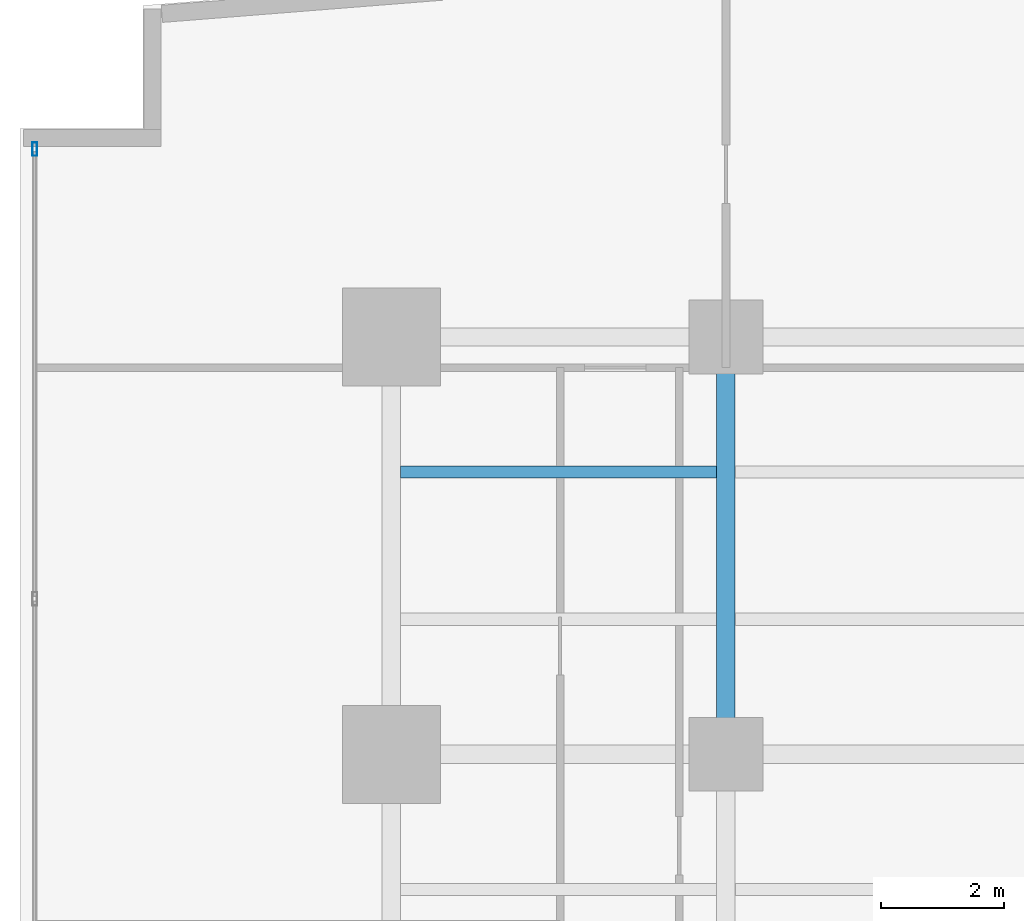
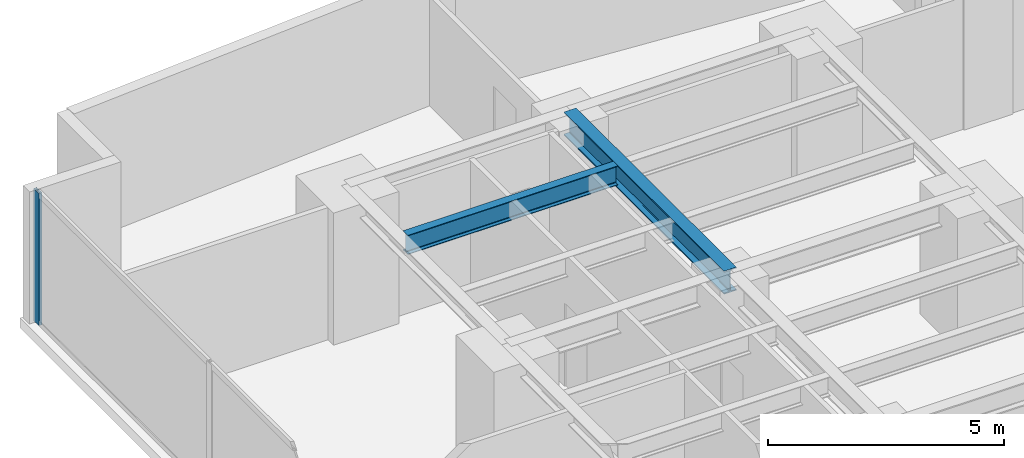
# One storey, part 17 of 28: 2 beams, 1 member, 1 element without a shape of its own.
"""IFC4 building model written with IfcOpenShell, lengths in metres."""

import ifcopenshell
import ifcopenshell.guid

model = None  # the IFC model being written
_history = None  # IfcOwnerHistory: only IFC2X3 demands one
_inside = {}  # id of a spatial element -> (the spatial element, [elements in it])
_under = {}  # id of a project, library or spatial element -> (it, [spatial elements below it])
_declared = {}  # id of a project -> (the project, [libraries it declares])
_typed = {}  # id of a type object -> (the type object, [elements of that type])
_made_of = {}  # id of a material, layer set ... -> (it, [elements and type objects made of it])


def new_model(schema):
    """Start an empty IFC model of exactly this schema.

    Asked for "IFC4X3", IfcOpenShell would pick the latest addendum, in which some entities
    have other attributes; the version numbers below select the first issue.
    IFC2X3 requires an IfcOwnerHistory on every rooted entity: one is made here for all.
    """
    global model, _history
    if schema == "IFC4X3":
        model = ifcopenshell.file(schema_version=(4, 3, 0, 0))
    else:
        model = ifcopenshell.file(schema=schema)
    _inside.clear()
    _under.clear()
    _declared.clear()
    _typed.clear()
    _made_of.clear()
    _history = None
    if model.schema == "IFC2X3":
        org = make("IfcOrganization", Name="unknown")
        user = make(
            "IfcPersonAndOrganization",
            ThePerson=make("IfcPerson", FamilyName="unknown"),
            TheOrganization=org,
        )
        app = make(
            "IfcApplication",
            ApplicationDeveloper=org,
            Version="unknown",
            ApplicationFullName="unknown",
            ApplicationIdentifier="unknown",
        )
        _history = make(
            "IfcOwnerHistory",
            OwningUser=user,
            OwningApplication=app,
            ChangeAction="ADDED",
            CreationDate=0,
        )
    return model


def make(cls, **values):
    """One entity of the class cls with the attributes given. An attribute that is None is left unset."""
    return model.create_entity(
        cls, **{name: value for name, value in values.items() if value is not None}
    )


def rooted(cls, **values):
    """An entity with a GlobalId (a new one), such as an element, a storey or a relation."""
    return make(cls, GlobalId=ifcopenshell.guid.new(), OwnerHistory=_history, **values)


def si_unit(unit_type, name, prefix=None):
    """IfcSIUnit, for example si_unit("LENGTHUNIT", "METRE", prefix="MILLI")."""
    return make("IfcSIUnit", UnitType=unit_type, Prefix=prefix, Name=name)


def assignment(units):
    """IfcUnitAssignment: the units of a project."""
    return None if units is None else make("IfcUnitAssignment", Units=units)


def point(xyz):
    """IfcCartesianPoint."""
    return None if xyz is None else make("IfcCartesianPoint", Coordinates=xyz)


def direction(xyz):
    """IfcDirection."""
    return None if xyz is None else make("IfcDirection", DirectionRatios=xyz)


def frame(location, z_axis=None, x_axis=None):
    """IfcAxis2Placement3D, a coordinate frame: its origin and axes. An axis left out is left unset."""
    return make(
        "IfcAxis2Placement3D",
        Location=point(location),
        Axis=direction(z_axis),
        RefDirection=direction(x_axis),
    )


def frame_2d(location, x_axis=None):
    """IfcAxis2Placement2D, a coordinate frame in the plane: its origin and x axis."""
    return make(
        "IfcAxis2Placement2D", Location=point(location), RefDirection=direction(x_axis)
    )


def origin():
    """The frame at (0, 0, 0) with its axes left unset."""
    return frame((0.0, 0.0, 0.0))


def origin_with_axes():
    """The frame at (0, 0, 0) with the z axis (0, 0, 1) and the x axis (1, 0, 0) written out."""
    return frame((0.0, 0.0, 0.0), z_axis=(0.0, 0.0, 1.0), x_axis=(1.0, 0.0, 0.0))


def origin_2d():
    """The frame at (0, 0) in the plane with its x axis left unset."""
    return frame_2d((0.0, 0.0))


def place(relative_to, where):
    """IfcLocalPlacement: puts the frame where relative to a parent placement (None: the world)."""
    return make(
        "IfcLocalPlacement", PlacementRelTo=relative_to, RelativePlacement=where
    )


def context(
    kind, dimensions, precision=None, world=None, true_north=None, identifier=None
):
    """IfcGeometricRepresentationContext, for example the 3D "Model" context."""
    return make(
        "IfcGeometricRepresentationContext",
        ContextIdentifier=identifier,
        ContextType=kind,
        CoordinateSpaceDimension=dimensions,
        Precision=precision,
        WorldCoordinateSystem=world,
        TrueNorth=true_north,
    )


def subcontext(parent, identifier, kind, view, scale=None):
    """IfcGeometricRepresentationSubContext, for example "Body" below "Model"."""
    return make(
        "IfcGeometricRepresentationSubContext",
        ContextIdentifier=identifier,
        ContextType=kind,
        ParentContext=parent,
        TargetScale=scale,
        TargetView=view,
    )


def project(units=None, contexts=None):
    """IfcProject with its units and contexts."""
    return rooted(
        "IfcProject",
        Name="project",
        RepresentationContexts=contexts,
        UnitsInContext=assignment(units),
    )


def spatial(cls, under=None, at=None, **own):
    """A site, building, storey or space (cls), placed at a placement, below another one or the project."""
    s = rooted(cls, ObjectPlacement=at, **own)
    if under is not None:
        _under.setdefault(under.id(), (under, []))[1].append(s)
    return s


def profile(cls, at=None, kind="AREA", **sizes):
    """A parametric profile (cls). Its sizes go by their IFC names, for example OverallWidth=200.0."""
    return make(cls, ProfileType=kind, Position=at, **sizes)


def hollow_rectangle(**sizes):
    """IfcRectangleHollowProfileDef."""
    return profile("IfcRectangleHollowProfileDef", **sizes)


def i_section(**sizes):
    """IfcIShapeProfileDef."""
    return profile("IfcIShapeProfileDef", **sizes)


def extrude(swept, where, along, depth):
    """IfcExtrudedAreaSolid: the profile swept, set in the frame where, extruded along a direction by depth."""
    return make(
        "IfcExtrudedAreaSolid",
        SweptArea=swept,
        Position=where,
        ExtrudedDirection=direction(along),
        Depth=depth,
    )


def shape(context_of_items, identifier, shape_type, items):
    """IfcShapeRepresentation: the items that make up one representation, for example the "Body"."""
    return make(
        "IfcShapeRepresentation",
        ContextOfItems=context_of_items,
        RepresentationIdentifier=identifier,
        RepresentationType=shape_type,
        Items=items,
    )


def source(mapping_origin, context_of_items, identifier, shape_type, items):
    """IfcRepresentationMap: a shape defined once, which mapped items show again and again."""
    return make(
        "IfcRepresentationMap",
        MappingOrigin=mapping_origin,
        MappedRepresentation=shape(context_of_items, identifier, shape_type, items),
    )


def transform(
    local_origin,
    x_axis=None,
    y_axis=None,
    z_axis=None,
    scale=None,
    scale2=None,
    scale3=None,
    uniform=True,
):
    """IfcCartesianTransformationOperator3D, or its non-uniform kind. x_axis, y_axis, z_axis: its Axis1, 2, 3."""
    if uniform:
        return make(
            "IfcCartesianTransformationOperator3D",
            Axis1=direction(x_axis),
            Axis2=direction(y_axis),
            LocalOrigin=point(local_origin),
            Scale=scale,
            Axis3=direction(z_axis),
        )
    return make(
        "IfcCartesianTransformationOperator3DnonUniform",
        Axis1=direction(x_axis),
        Axis2=direction(y_axis),
        LocalOrigin=point(local_origin),
        Scale=scale,
        Axis3=direction(z_axis),
        Scale2=scale2,
        Scale3=scale3,
    )


def mapped(mapping_source, mapping_target):
    """IfcMappedItem: shows the shape of a source again, moved by a transform."""
    return make(
        "IfcMappedItem", MappingSource=mapping_source, MappingTarget=mapping_target
    )


def material(Name=None, Category=None):
    """IfcMaterial."""
    return make("IfcMaterial", Name=Name, Category=Category)


def layer(
    of_material, thickness, ventilated=None, Name=None, Category=None, Priority=None
):
    """IfcMaterialLayer: one layer of a wall or slab, of a material (None: an air gap)."""
    return make(
        "IfcMaterialLayer",
        Material=of_material,
        LayerThickness=thickness,
        IsVentilated=ventilated,
        Name=Name,
        Category=Category,
        Priority=Priority,
    )


def layer_set(layers, Name=None):
    """IfcMaterialLayerSet."""
    return make("IfcMaterialLayerSet", MaterialLayers=layers, LayerSetName=Name)


def material_profile(
    of_material, cross_section, Name=None, Category=None, Priority=None
):
    """IfcMaterialProfile: a cross section and its material."""
    return make(
        "IfcMaterialProfile",
        Name=Name,
        Material=of_material,
        Profile=cross_section,
        Priority=Priority,
        Category=Category,
    )


def profile_set(profiles, Name=None, composite=None):
    """IfcMaterialProfileSet."""
    return make(
        "IfcMaterialProfileSet",
        Name=Name,
        MaterialProfiles=profiles,
        CompositeProfile=composite,
    )


def made_of(thing, what):
    """Note that an element or type object is made of a material, layer set ...; save() writes the relation."""
    if what is not None:
        _made_of.setdefault(what.id(), (what, []))[1].append(thing)
    return thing


def type_object(cls, material=None, **own):
    """A type object (cls), such as IfcWallType, which elements share."""
    return made_of(rooted(cls, **own), material)


def element(
    cls,
    number,
    at=None,
    inside=None,
    cuts=None,
    type_object=None,
    material=None,
    context=None,
    identifier="Body",
    shape_type=None,
    held_by="IfcProductDefinitionShape",
    body=None,
    shapes=None,
    **own,
):
    """One element of the class cls, such as IfcWall. Its Tag is "e" and its number.

    at: its placement. inside: the storey or other place that contains it. cuts: it is an
    opening in that element (IfcRelVoidsElement). A single representation is given by context,
    identifier, shape_type and body (its items); several are given by shapes. held_by: the class
    of the entity that holds the representations. save() writes the other relations.
    """
    e = rooted(cls, Tag="e%d" % number, ObjectPlacement=at, **own)
    if body is not None:
        shapes = [shape(context, identifier, shape_type, body)]
    if shapes is not None:
        e.Representation = make(held_by, Representations=shapes)
    if inside is not None:
        _inside.setdefault(inside.id(), (inside, []))[1].append(e)
    if cuts is not None:
        rooted(
            "IfcRelVoidsElement", RelatingBuildingElement=cuts, RelatedOpeningElement=e
        )
    if type_object is not None:
        _typed.setdefault(type_object.id(), (type_object, []))[1].append(e)
    return made_of(e, material)


def aggregate(whole, parts):
    """IfcRelAggregates: a whole, such as a stair, and the parts it consists of."""
    return rooted("IfcRelAggregates", RelatingObject=whole, RelatedObjects=parts)


def save(model, path):
    """Write the relations noted so far, then the file.

    IfcRelAggregates (storeys below a building ...), IfcRelContainedInSpatialStructure (elements
    in a storey), IfcRelDefinesByType, IfcRelAssociatesMaterial and IfcRelDeclares: one each for
    every whole, place, type object, material and project.
    """
    for whole, parts in _under.values():
        aggregate(whole, parts)
    for where, things in _inside.values():
        rooted(
            "IfcRelContainedInSpatialStructure",
            RelatedElements=things,
            RelatingStructure=where,
        )
    for kind, things in _typed.values():
        rooted("IfcRelDefinesByType", RelatedObjects=things, RelatingType=kind)
    for what, things in _made_of.values():
        rooted("IfcRelAssociatesMaterial", RelatedObjects=things, RelatingMaterial=what)
    for by, libraries in _declared.values():
        rooted("IfcRelDeclares", RelatingContext=by, RelatedDefinitions=libraries)
    model.write(path)


model = new_model("IFC4")

# Units and contexts
model_context = context("Model", 3, precision=1e-05, world=origin(), true_north=direction((0.0, 1.0)))
body_context = subcontext(model_context, "Body", "Model", "MODEL_VIEW")
ifc_project = project(units=[si_unit("LENGTHUNIT", "METRE"), si_unit("AREAUNIT", "SQUARE_METRE"), si_unit("VOLUMEUNIT", "CUBIC_METRE"), si_unit("PLANEANGLEUNIT", "RADIAN"), si_unit("MASSUNIT", "GRAM", prefix="KILO")], contexts=[model_context])

# Site, building, storey
site_placement = place(None, origin())
site = spatial("IfcSite", under=ifc_project, at=site_placement, CompositionType="ELEMENT")
building_placement = place(site_placement, origin())
building = spatial("IfcBuilding", under=site, at=building_placement, Name="Kolvaren Waterfront Exchange", CompositionType="ELEMENT")
storey_placement = place(building_placement, frame((0.0, 0.0, 79.0)))
storey = spatial("IfcBuildingStorey", under=building, at=storey_placement, Name="L20", CompositionType="ELEMENT", Elevation=79.0)

# Beams
ifc_material_1 = material(Name="Steel S355", Category="steel")
ifc_material_profile_1 = material_profile(ifc_material_1, i_section(OverallWidth=0.300048828125, OverallDepth=0.60009765625, WebThickness=0.015380859375, FlangeThickness=0.030029296875, FilletRadius=0.027099609375, at=origin_2d()), Name="HEB600")
ifc_profile_set_1 = profile_set([ifc_material_profile_1], Name="Steel S355")
beam_type_1 = type_object("IfcBeamType", Name="STR-BM-HEB600", PredefinedType="BEAM", material=ifc_profile_set_1)
beam_1_placement = place(storey_placement, frame((12.89990234375, 37.800048828125, 3.1201171875), z_axis=(0.0, 1.0, 0.0), x_axis=(-1.0, 0.0, 0.0)))
element("IfcBeam", 1, at=beam_1_placement, inside=storey, type_object=beam_type_1, Name="L20 north-arm edge beam 3", PredefinedType="BEAM", context=body_context, shape_type="SweptSolid", body=[
    extrude(i_section(OverallWidth=0.300048828125, OverallDepth=0.60009765625, WebThickness=0.015380859375, FlangeThickness=0.030029296875, FilletRadius=0.027099609375, at=origin_2d()), origin(), (0.0, 0.0, 1.0), 6.800048828125),
])
ifc_material_profile_2 = material_profile(ifc_material_1, i_section(OverallWidth=0.199951171875, OverallDepth=0.5, WebThickness=0.01025390625, FlangeThickness=0.01611328125, FilletRadius=0.02099609375, at=origin_2d()), Name="IPE500")
ifc_profile_set_2 = profile_set([ifc_material_profile_2], Name="Steel S355")
beam_type_2 = type_object("IfcBeamType", Name="STR-BM-IPE500", PredefinedType="JOIST", material=ifc_profile_set_2)
beam_2_placement = place(storey_placement, frame((7.60205078125, 42.39990234375, 3.169921875), z_axis=(1.0, 0.0, 0.0), x_axis=(0.0, 1.0, 0.0)))
element("IfcBeam", 2, at=beam_2_placement, inside=storey, type_object=beam_type_2, Name="L20 north-arm composite joist 6A", PredefinedType="JOIST", context=body_context, shape_type="SweptSolid", body=[
    extrude(i_section(OverallWidth=0.199951171875, OverallDepth=0.5, WebThickness=0.01025390625, FlangeThickness=0.01611328125, FilletRadius=0.02099609375, at=origin_2d()), origin(), (0.0, 0.0, 1.0), 5.14599609375),
])

# Curtain wall, member
ifc_material_2 = material(Name="Anodised aluminium 6063-T6", Category="aluminium")
ifc_layer = layer(ifc_material_2, 0.219970703125, Name="Anodised aluminium 6063-T6")
ifc_layer_set = layer_set([ifc_layer], Name="Anodised aluminium 6063-T6")
curtain_wall_type = type_object("IfcCurtainWallType", Name="ARC-CW-SYS2", PredefinedType="USERDEFINED", material=ifc_layer_set)
curtain_wall_placement = place(storey_placement, origin())
curtain_wall = element("IfcCurtainWall", 3, at=curtain_wall_placement, inside=storey, type_object=curtain_wall_type, Name="L20 stick curtain wall CW2 (CW-L20-W)", ObjectType="STICK CURTAIN WALL", PredefinedType="USERDEFINED")
ifc_material_profile_3 = material_profile(ifc_material_2, hollow_rectangle(XDim=0.080078125, YDim=0.219970703125, WallThickness=0.0048828125, at=origin_2d()), Name="ALU-MUL-220x80x5")
ifc_profile_set_3 = profile_set([ifc_material_profile_3], Name="Anodised aluminium 6063-T6")
member_type = type_object("IfcMemberType", Name="ARC-CWM-220", PredefinedType="MULLION", material=ifc_profile_set_3)
shared_shape = source(origin_with_axes(), body_context, "Body", "SweptSolid", [
    extrude(hollow_rectangle(XDim=0.080078125, YDim=0.219970703125, WallThickness=0.0048828125, at=origin_2d()), origin(), (0.0, 0.0, 1.0), 3.419921875),
])
member_placement = place(storey_placement, frame((1.639892578125, 47.659912109375, 0.0), z_axis=(0.0, 0.0, 1.0), x_axis=(-1.0, 0.0, 0.0)))
member = element("IfcMember", 4, at=member_placement, type_object=member_type, Name="CW2 mullion 7", PredefinedType="MULLION", context=body_context, shape_type="MappedRepresentation", body=[
    mapped(shared_shape, transform((0.0, 0.0, 0.0), x_axis=(1.0, 0.0, 0.0), y_axis=(0.0, 1.0, 0.0), z_axis=(0.0, 0.0, 1.0), scale=1.0)),
])
aggregate(curtain_wall, [member])

save(model, "model.ifc")
